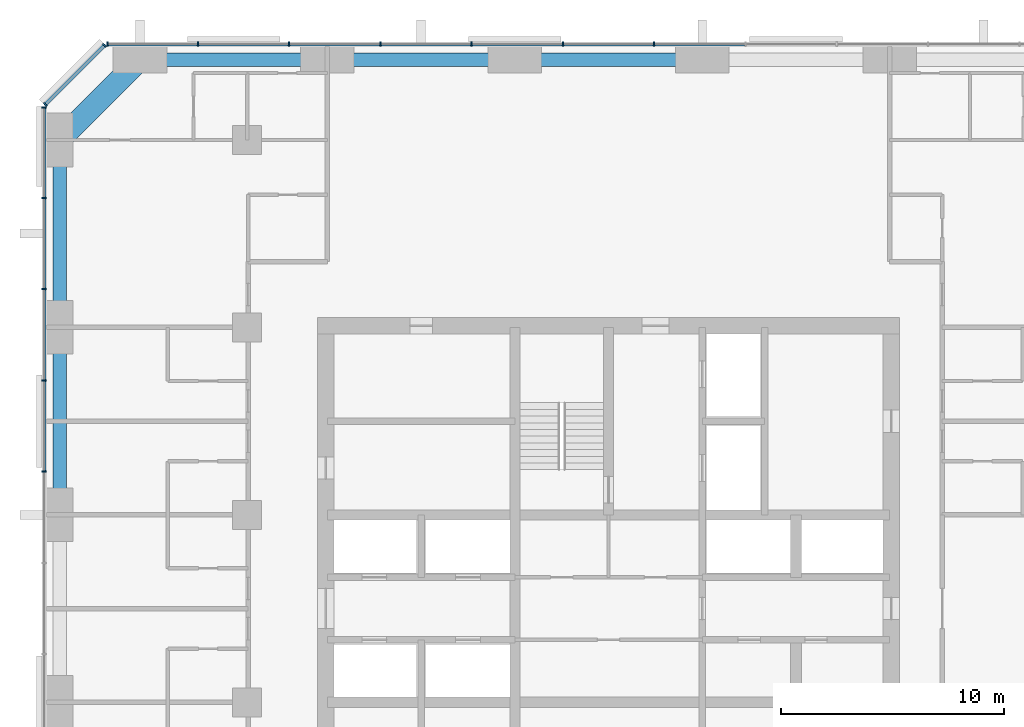
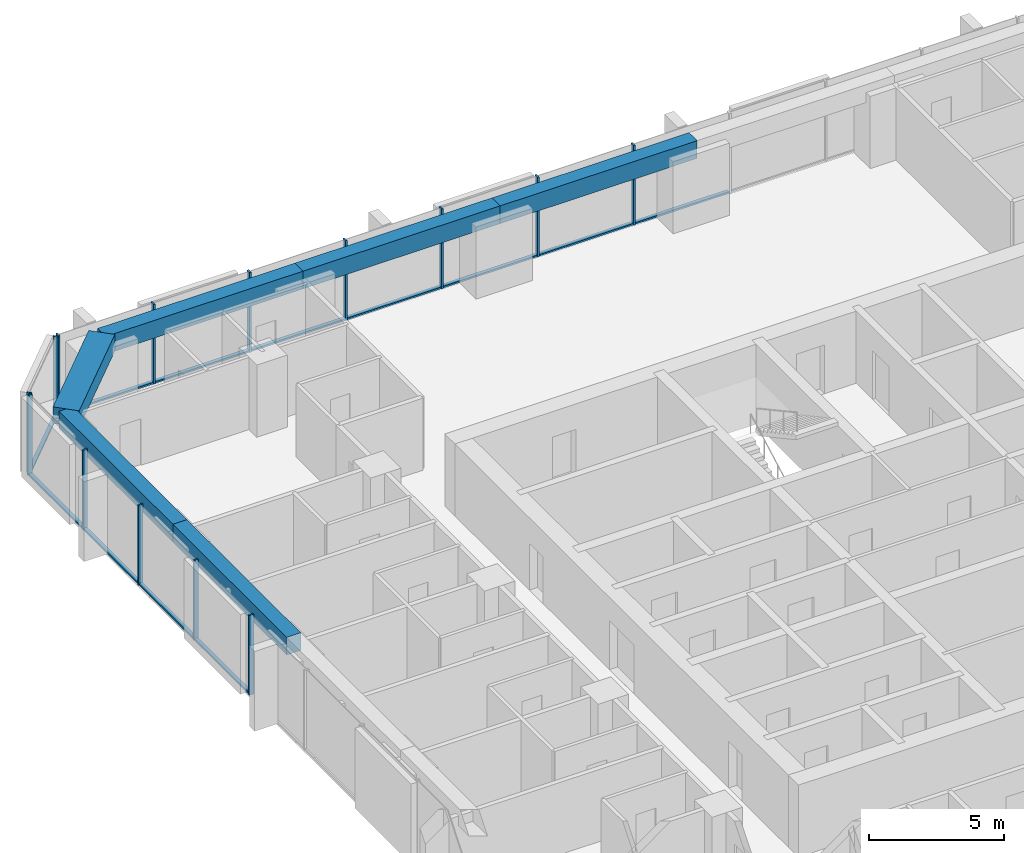
# One storey, part 5 of 13: 26 members, 6 beams, 3 elements without a shape of their own.
"""IFC4 building model written with IfcOpenShell, lengths in metres."""

from ifc_helpers import new_model, si_unit, direction, frame, origin, origin_2d, place, context, subcontext, project, spatial, rectangle, extrude, material, material_profile, profile_set, type_object, element, aggregate, save


model = new_model("IFC4")

# Units and contexts
model_context = context("Model", 3, precision=1e-05, world=origin(), true_north=direction((0.0, 1.0)))
body_context = subcontext(model_context, "Body", "Model", "MODEL_VIEW")
ifc_project = project(units=[si_unit("LENGTHUNIT", "METRE"), si_unit("AREAUNIT", "SQUARE_METRE"), si_unit("VOLUMEUNIT", "CUBIC_METRE"), si_unit("PLANEANGLEUNIT", "RADIAN"), si_unit("MASSUNIT", "GRAM", prefix="KILO")], contexts=[model_context])

# Site, building, storey
site_placement = place(None, origin())
site = spatial("IfcSite", under=ifc_project, at=site_placement, CompositionType="ELEMENT")
building_placement = place(site_placement, origin())
building = spatial("IfcBuilding", under=site, at=building_placement, Name="Dunama Terrace Hotel", CompositionType="ELEMENT")
storey_placement = place(building_placement, frame((0.0, 0.0, 166.199951171875)))
storey = spatial("IfcBuildingStorey", under=building, at=storey_placement, Name="L42", CompositionType="ELEMENT", Elevation=166.199951171875)

# Curtain wall, members
ifc_material_1 = material(Name="Aluminium curtain wall system", Category="aluminium")
curtain_wall_type = type_object("IfcCurtainWallType", Name="Unitised fritted glass wall CW-C", PredefinedType="NOTDEFINED", material=ifc_material_1)
curtain_wall_1_placement = place(storey_placement, origin())
curtain_wall_1 = element("IfcCurtainWall", 1, at=curtain_wall_1_placement, inside=storey, type_object=curtain_wall_type, Name="Unitised fritted glass wall CW-C L42", PredefinedType="NOTDEFINED")
ifc_material_2 = material(Name="Aluminium mullion", Category="aluminium")
ifc_material_profile_1 = material_profile(ifc_material_2, rectangle(XDim=0.070068359375, YDim=0.199951171875, at=origin_2d()), Name="CWC MULLION 70X200")
ifc_profile_set_1 = profile_set([ifc_material_profile_1], Name="Aluminium mullion")
member_type_1 = type_object("IfcMemberType", Name="CWC mullion 70x200", PredefinedType="MULLION", material=ifc_profile_set_1)
member_1_placement = place(storey_placement, frame((31.445068359375, 54.699951171875, 0.0), z_axis=(0.0, 0.0, 1.0), x_axis=(-1.0, 0.0, 0.0)))
member_1 = element("IfcMember", 2, at=member_1_placement, type_object=member_type_1, Name="CWC mullion", PredefinedType="MULLION", context=body_context, shape_type="SweptSolid", body=[
    extrude(rectangle(XDim=0.070068359375, YDim=0.199951171875, at=origin_2d()), origin(), (0.0, 0.0, 1.0), 3.60009765625),
])
member_2_placement = place(storey_placement, frame((27.35498046875, 54.699951171875, 0.0), z_axis=(0.0, 0.0, 1.0), x_axis=(-1.0, 0.0, 0.0)))
member_2 = element("IfcMember", 3, at=member_2_placement, type_object=member_type_1, Name="CWC mullion", PredefinedType="MULLION", context=body_context, shape_type="SweptSolid", body=[
    extrude(rectangle(XDim=0.070068359375, YDim=0.199951171875, at=origin_2d()), origin(), (0.0, 0.0, 1.0), 3.60009765625),
])
member_3_placement = place(storey_placement, frame((23.263916015625, 54.699951171875, 0.0), z_axis=(0.0, 0.0, 1.0), x_axis=(-1.0, 0.0, 0.0)))
member_3 = element("IfcMember", 4, at=member_3_placement, type_object=member_type_1, Name="CWC mullion", PredefinedType="MULLION", context=body_context, shape_type="SweptSolid", body=[
    extrude(rectangle(XDim=0.070068359375, YDim=0.199951171875, at=origin_2d()), origin(), (0.0, 0.0, 1.0), 3.60009765625),
])
member_4_placement = place(storey_placement, frame((19.173095703125, 54.699951171875, 0.0), z_axis=(0.0, 0.0, 1.0), x_axis=(-1.0, 0.0, 0.0)))
member_4 = element("IfcMember", 5, at=member_4_placement, type_object=member_type_1, Name="CWC mullion", PredefinedType="MULLION", context=body_context, shape_type="SweptSolid", body=[
    extrude(rectangle(XDim=0.070068359375, YDim=0.199951171875, at=origin_2d()), origin(), (0.0, 0.0, 1.0), 3.60009765625),
])
member_5_placement = place(storey_placement, frame((15.08203125, 54.699951171875, 0.0), z_axis=(0.0, 0.0, 1.0), x_axis=(-1.0, 0.0, 0.0)))
member_5 = element("IfcMember", 6, at=member_5_placement, type_object=member_type_1, Name="CWC mullion", PredefinedType="MULLION", context=body_context, shape_type="SweptSolid", body=[
    extrude(rectangle(XDim=0.070068359375, YDim=0.199951171875, at=origin_2d()), origin(), (0.0, 0.0, 1.0), 3.60009765625),
])
member_6_placement = place(storey_placement, frame((10.990966796875, 54.699951171875, 0.0), z_axis=(0.0, 0.0, 1.0), x_axis=(-1.0, 0.0, 0.0)))
member_6 = element("IfcMember", 7, at=member_6_placement, type_object=member_type_1, Name="CWC mullion", PredefinedType="MULLION", context=body_context, shape_type="SweptSolid", body=[
    extrude(rectangle(XDim=0.070068359375, YDim=0.199951171875, at=origin_2d()), origin(), (0.0, 0.0, 1.0), 3.60009765625),
])
member_7_placement = place(storey_placement, frame((6.93505859375, 54.699951171875, 0.0), z_axis=(0.0, 0.0, 1.0), x_axis=(-1.0, 0.0, 0.0)))
member_7 = element("IfcMember", 8, at=member_7_placement, type_object=member_type_1, Name="CWC mullion", PredefinedType="MULLION", context=body_context, shape_type="SweptSolid", body=[
    extrude(rectangle(XDim=0.070068359375, YDim=0.199951171875, at=origin_2d()), origin(), (0.0, 0.0, 1.0), 3.60009765625),
])

curtain_wall_2_placement = place(storey_placement, origin())
curtain_wall_2 = element("IfcCurtainWall", 9, at=curtain_wall_2_placement, inside=storey, type_object=curtain_wall_type, Name="Unitised fritted glass wall CW-C L42", PredefinedType="NOTDEFINED")
member_8_placement = place(storey_placement, frame((6.804931640625, 54.64599609375, 0.0), z_axis=(0.0, 0.0, 1.0), x_axis=(-0.707106781187, -0.707106781187, 0.0)))
member_8 = element("IfcMember", 10, at=member_8_placement, type_object=member_type_1, Name="CWC mullion", PredefinedType="MULLION", context=body_context, shape_type="SweptSolid", body=[
    extrude(rectangle(XDim=0.070068359375, YDim=0.199951171875, at=origin_2d()), origin(), (0.0, 0.0, 1.0), 3.60009765625),
])
member_9_placement = place(storey_placement, frame((4.154052734375, 51.9951171875, 0.0), z_axis=(0.0, 0.0, 1.0), x_axis=(-0.707106781187, -0.707106781187, 0.0)))
member_9 = element("IfcMember", 11, at=member_9_placement, type_object=member_type_1, Name="CWC mullion", PredefinedType="MULLION", context=body_context, shape_type="SweptSolid", body=[
    extrude(rectangle(XDim=0.070068359375, YDim=0.199951171875, at=origin_2d()), origin(), (0.0, 0.0, 1.0), 3.60009765625),
])

curtain_wall_3_placement = place(storey_placement, origin())
curtain_wall_3 = element("IfcCurtainWall", 12, at=curtain_wall_3_placement, inside=storey, type_object=curtain_wall_type, Name="Unitised fritted glass wall CW-C L42", PredefinedType="NOTDEFINED")
member_10_placement = place(storey_placement, frame((4.10009765625, 51.864990234375, 0.0), z_axis=(0.0, 0.0, 1.0), x_axis=(0.0, -1.0, 0.0)))
member_10 = element("IfcMember", 13, at=member_10_placement, type_object=member_type_1, Name="CWC mullion", PredefinedType="MULLION", context=body_context, shape_type="SweptSolid", body=[
    extrude(rectangle(XDim=0.070068359375, YDim=0.199951171875, at=origin_2d()), origin(), (0.0, 0.0, 1.0), 3.60009765625),
])
member_11_placement = place(storey_placement, frame((4.10009765625, 47.80908203125, 0.0), z_axis=(0.0, 0.0, 1.0), x_axis=(0.0, -1.0, 0.0)))
member_11 = element("IfcMember", 14, at=member_11_placement, type_object=member_type_1, Name="CWC mullion", PredefinedType="MULLION", context=body_context, shape_type="SweptSolid", body=[
    extrude(rectangle(XDim=0.070068359375, YDim=0.199951171875, at=origin_2d()), origin(), (0.0, 0.0, 1.0), 3.60009765625),
])
member_12_placement = place(storey_placement, frame((4.10009765625, 43.718017578125, 0.0), z_axis=(0.0, 0.0, 1.0), x_axis=(0.0, -1.0, 0.0)))
member_12 = element("IfcMember", 15, at=member_12_placement, type_object=member_type_1, Name="CWC mullion", PredefinedType="MULLION", context=body_context, shape_type="SweptSolid", body=[
    extrude(rectangle(XDim=0.070068359375, YDim=0.199951171875, at=origin_2d()), origin(), (0.0, 0.0, 1.0), 3.60009765625),
])
member_13_placement = place(storey_placement, frame((4.10009765625, 39.626953125, 0.0), z_axis=(0.0, 0.0, 1.0), x_axis=(0.0, -1.0, 0.0)))
member_13 = element("IfcMember", 16, at=member_13_placement, type_object=member_type_1, Name="CWC mullion", PredefinedType="MULLION", context=body_context, shape_type="SweptSolid", body=[
    extrude(rectangle(XDim=0.070068359375, YDim=0.199951171875, at=origin_2d()), origin(), (0.0, 0.0, 1.0), 3.60009765625),
])
member_14_placement = place(storey_placement, frame((4.10009765625, 35.535888671875, 0.0), z_axis=(0.0, 0.0, 1.0), x_axis=(0.0, -1.0, 0.0)))
member_14 = element("IfcMember", 17, at=member_14_placement, type_object=member_type_1, Name="CWC mullion", PredefinedType="MULLION", context=body_context, shape_type="SweptSolid", body=[
    extrude(rectangle(XDim=0.070068359375, YDim=0.199951171875, at=origin_2d()), origin(), (0.0, 0.0, 1.0), 3.60009765625),
])

# Member
ifc_material_3 = material(Name="Aluminium transom", Category="aluminium")
ifc_material_profile_2 = material_profile(ifc_material_3, rectangle(XDim=0.159912109375, YDim=0.080078125, at=origin_2d()), Name="CWC TRANSOM 160X80")
ifc_profile_set_2 = profile_set([ifc_material_profile_2], Name="Aluminium transom")
member_type_2 = type_object("IfcMemberType", Name="CWC transom 160x80", PredefinedType="USERDEFINED", material=ifc_profile_set_2)
member_15_placement = place(storey_placement, frame((35.5009765625, 54.699951171875, 0.0400390625), z_axis=(-1.0, 0.0, 0.0), x_axis=(0.0, -1.0, 0.0)))
member_15 = element("IfcMember", 18, at=member_15_placement, type_object=member_type_2, Name="CWC transom", ObjectType="TRANSOM", PredefinedType="USERDEFINED", context=body_context, shape_type="SweptSolid", body=[
    extrude(rectangle(XDim=0.159912109375, YDim=0.080078125, at=origin_2d()), origin(), (0.0, 0.0, 1.0), 4.02099609375),
])

member_16_placement = place(storey_placement, frame((31.409912109375, 54.699951171875, 0.0400390625), z_axis=(-1.0, 0.0, 0.0), x_axis=(0.0, -1.0, 0.0)))
member_16 = element("IfcMember", 19, at=member_16_placement, type_object=member_type_2, Name="CWC transom", ObjectType="TRANSOM", PredefinedType="USERDEFINED", context=body_context, shape_type="SweptSolid", body=[
    extrude(rectangle(XDim=0.159912109375, YDim=0.080078125, at=origin_2d()), origin(), (0.0, 0.0, 1.0), 4.02001953125),
])

member_17_placement = place(storey_placement, frame((27.320068359375, 54.699951171875, 0.0400390625), z_axis=(-1.0, 0.0, 0.0), x_axis=(0.0, -1.0, 0.0)))
member_17 = element("IfcMember", 20, at=member_17_placement, type_object=member_type_2, Name="CWC transom", ObjectType="TRANSOM", PredefinedType="USERDEFINED", context=body_context, shape_type="SweptSolid", body=[
    extrude(rectangle(XDim=0.159912109375, YDim=0.080078125, at=origin_2d()), origin(), (0.0, 0.0, 1.0), 4.02099609375),
])

member_18_placement = place(storey_placement, frame((23.22900390625, 54.699951171875, 0.0400390625), z_axis=(-1.0, 0.0, 0.0), x_axis=(0.0, -1.0, 0.0)))
member_18 = element("IfcMember", 21, at=member_18_placement, type_object=member_type_2, Name="CWC transom", ObjectType="TRANSOM", PredefinedType="USERDEFINED", context=body_context, shape_type="SweptSolid", body=[
    extrude(rectangle(XDim=0.159912109375, YDim=0.080078125, at=origin_2d()), origin(), (0.0, 0.0, 1.0), 4.02099609375),
])

member_19_placement = place(storey_placement, frame((19.137939453125, 54.699951171875, 0.0400390625), z_axis=(-1.0, 0.0, 0.0), x_axis=(0.0, -1.0, 0.0)))
member_19 = element("IfcMember", 22, at=member_19_placement, type_object=member_type_2, Name="CWC transom", ObjectType="TRANSOM", PredefinedType="USERDEFINED", context=body_context, shape_type="SweptSolid", body=[
    extrude(rectangle(XDim=0.159912109375, YDim=0.080078125, at=origin_2d()), origin(), (0.0, 0.0, 1.0), 4.02099609375),
])

member_20_placement = place(storey_placement, frame((15.047119140625, 54.699951171875, 0.0400390625), z_axis=(-1.0, 0.0, 0.0), x_axis=(0.0, -1.0, 0.0)))
member_20 = element("IfcMember", 23, at=member_20_placement, type_object=member_type_2, Name="CWC transom", ObjectType="TRANSOM", PredefinedType="USERDEFINED", context=body_context, shape_type="SweptSolid", body=[
    extrude(rectangle(XDim=0.159912109375, YDim=0.080078125, at=origin_2d()), origin(), (0.0, 0.0, 1.0), 4.021240234375),
])

member_21_placement = place(storey_placement, frame((10.9560546875, 54.699951171875, 0.0400390625), z_axis=(-1.0, 0.0, 0.0), x_axis=(0.0, -1.0, 0.0)))
member_21 = element("IfcMember", 24, at=member_21_placement, type_object=member_type_2, Name="CWC transom", ObjectType="TRANSOM", PredefinedType="USERDEFINED", context=body_context, shape_type="SweptSolid", body=[
    extrude(rectangle(XDim=0.159912109375, YDim=0.080078125, at=origin_2d()), origin(), (0.0, 0.0, 1.0), 3.986083984375),
])

aggregate(curtain_wall_1, [member_1, member_2, member_3, member_4, member_5, member_6, member_7, member_15, member_16, member_17, member_18, member_19, member_20, member_21])

member_22_placement = place(storey_placement, frame((6.780029296875, 54.62109375, 0.0400390625), z_axis=(-0.707106781187, -0.707106781187, 0.0), x_axis=(0.707106781187, -0.707106781187, 0.0)))
member_22 = element("IfcMember", 25, at=member_22_placement, type_object=member_type_2, Name="CWC transom", ObjectType="TRANSOM", PredefinedType="USERDEFINED", context=body_context, shape_type="SweptSolid", body=[
    extrude(rectangle(XDim=0.159912109375, YDim=0.080078125, at=origin_2d()), origin(), (0.0, 0.0, 1.0), 3.678466796875),
])

aggregate(curtain_wall_2, [member_8, member_9, member_22])

member_23_placement = place(storey_placement, frame((4.10009765625, 51.830078125, 0.0400390625), z_axis=(0.0, -1.0, 0.0), x_axis=(1.0, 0.0, 0.0)))
member_23 = element("IfcMember", 26, at=member_23_placement, type_object=member_type_2, Name="CWC transom", ObjectType="TRANSOM", PredefinedType="USERDEFINED", context=body_context, shape_type="SweptSolid", body=[
    extrude(rectangle(XDim=0.159912109375, YDim=0.080078125, at=origin_2d()), origin(), (0.0, 0.0, 1.0), 3.986083984375),
])

member_24_placement = place(storey_placement, frame((4.10009765625, 47.77392578125, 0.0400390625), z_axis=(0.0, -1.0, 0.0), x_axis=(1.0, 0.0, 0.0)))
member_24 = element("IfcMember", 27, at=member_24_placement, type_object=member_type_2, Name="CWC transom", ObjectType="TRANSOM", PredefinedType="USERDEFINED", context=body_context, shape_type="SweptSolid", body=[
    extrude(rectangle(XDim=0.159912109375, YDim=0.080078125, at=origin_2d()), origin(), (0.0, 0.0, 1.0), 4.02099609375),
])

member_25_placement = place(storey_placement, frame((4.10009765625, 43.68310546875, 0.0400390625), z_axis=(0.0, -1.0, 0.0), x_axis=(1.0, 0.0, 0.0)))
member_25 = element("IfcMember", 28, at=member_25_placement, type_object=member_type_2, Name="CWC transom", ObjectType="TRANSOM", PredefinedType="USERDEFINED", context=body_context, shape_type="SweptSolid", body=[
    extrude(rectangle(XDim=0.159912109375, YDim=0.080078125, at=origin_2d()), origin(), (0.0, 0.0, 1.0), 4.02099609375),
])

member_26_placement = place(storey_placement, frame((4.10009765625, 39.592041015625, 0.0400390625), z_axis=(0.0, -1.0, 0.0), x_axis=(1.0, 0.0, 0.0)))
member_26 = element("IfcMember", 29, at=member_26_placement, type_object=member_type_2, Name="CWC transom", ObjectType="TRANSOM", PredefinedType="USERDEFINED", context=body_context, shape_type="SweptSolid", body=[
    extrude(rectangle(XDim=0.159912109375, YDim=0.080078125, at=origin_2d()), origin(), (0.0, 0.0, 1.0), 4.02099609375),
])

aggregate(curtain_wall_3, [member_10, member_11, member_12, member_13, member_14, member_23, member_24, member_25, member_26])

# Beams
ifc_material_4 = material(Name="Concrete C50/60", Category="concrete")
ifc_material_profile_3 = material_profile(ifc_material_4, rectangle(XDim=1.0, YDim=0.75, at=origin_2d()), Name="RC 1000x750")
ifc_profile_set_3 = profile_set([ifc_material_profile_3], Name="Concrete C50/60")
beam_type_1 = type_object("IfcBeamType", Name="Edge beam RC 1000x750", PredefinedType="SPANDREL", material=ifc_profile_set_3)
beam_1_placement = place(storey_placement, frame((8.39990234375, 54.0, 3.22509765625), z_axis=(-0.707082803744, -0.707130757816, 0.0), x_axis=(0.707130757816, -0.707082803744, 0.0)))
element("IfcBeam", 30, at=beam_1_placement, inside=storey, type_object=beam_type_1, Name="Corner edge beam under L43", PredefinedType="SPANDREL", context=body_context, shape_type="SweptSolid", body=[
    extrude(rectangle(XDim=1.0, YDim=0.75, at=origin_2d()), origin(), (0.0, 0.0, 1.0), 5.091064453125),
])
ifc_material_5 = material(Name="Concrete C40/50", Category="concrete")
ifc_material_profile_4 = material_profile(ifc_material_5, rectangle(XDim=0.60009765625, YDim=0.800048828125, at=origin_2d()), Name="RC 600x800")
ifc_profile_set_4 = profile_set([ifc_material_profile_4], Name="Concrete C40/50")
beam_type_2 = type_object("IfcBeamType", Name="Edge beam RC 600x800", PredefinedType="SPANDREL", material=ifc_profile_set_4)
for number, where, z_axis, x_axis, name in (
    (31, (4.800048828125, 33.60009765625, 3.199951171875), (0.0, 1.0, 0.0), (-1.0, 0.0, 0.0), "Edge beam under L43"),
    (32, (4.800048828125, 42.0, 3.199951171875), (0.0, 1.0, 0.0), (-1.0, 0.0, 0.0), "Edge beam under L43"),
):
    element("IfcBeam", number, at=place(storey_placement, frame(where, z_axis=z_axis, x_axis=x_axis)), inside=storey, type_object=beam_type_2, Name=name, PredefinedType="SPANDREL", context=body_context, shape_type="SweptSolid", body=[
        extrude(rectangle(XDim=0.60009765625, YDim=0.800048828125, at=origin_2d()), origin(), (0.0, 0.0, 1.0), 8.39990234375),
    ])
beam_2_placement = place(storey_placement, frame((8.39990234375, 54.0, 3.199951171875), z_axis=(1.0, 0.0, 0.0), x_axis=(0.0, 1.0, 0.0)))
element("IfcBeam", 33, at=beam_2_placement, inside=storey, type_object=beam_type_2, Name="Edge beam under L43", PredefinedType="SPANDREL", context=body_context, shape_type="SweptSolid", body=[
    extrude(rectangle(XDim=0.60009765625, YDim=0.800048828125, at=origin_2d()), origin(), (0.0, 0.0, 1.0), 8.400146484375),
])
beam_3_placement = place(storey_placement, frame((16.800048828125, 54.0, 3.199951171875), z_axis=(1.0, 0.0, 0.0), x_axis=(0.0, 1.0, 0.0)))
element("IfcBeam", 34, at=beam_3_placement, inside=storey, type_object=beam_type_2, Name="Edge beam under L43", PredefinedType="SPANDREL", context=body_context, shape_type="SweptSolid", body=[
    extrude(rectangle(XDim=0.60009765625, YDim=0.800048828125, at=origin_2d()), origin(), (0.0, 0.0, 1.0), 8.39990234375),
])
beam_4_placement = place(storey_placement, frame((25.199951171875, 54.0, 3.199951171875), z_axis=(1.0, 0.0, 0.0), x_axis=(0.0, 1.0, 0.0)))
element("IfcBeam", 35, at=beam_4_placement, inside=storey, type_object=beam_type_2, Name="Edge beam under L43", PredefinedType="SPANDREL", context=body_context, shape_type="SweptSolid", body=[
    extrude(rectangle(XDim=0.60009765625, YDim=0.800048828125, at=origin_2d()), origin(), (0.0, 0.0, 1.0), 8.400146484375),
])

save(model, "model.ifc")
